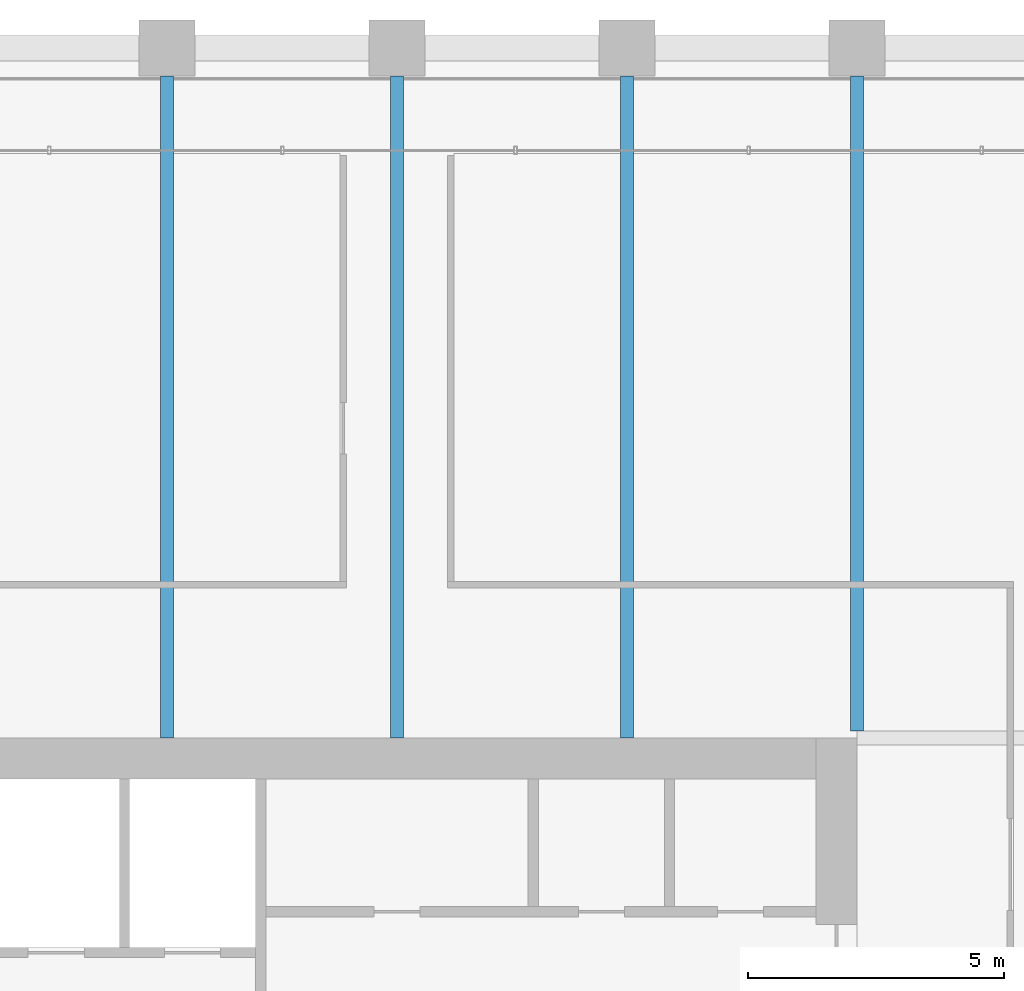
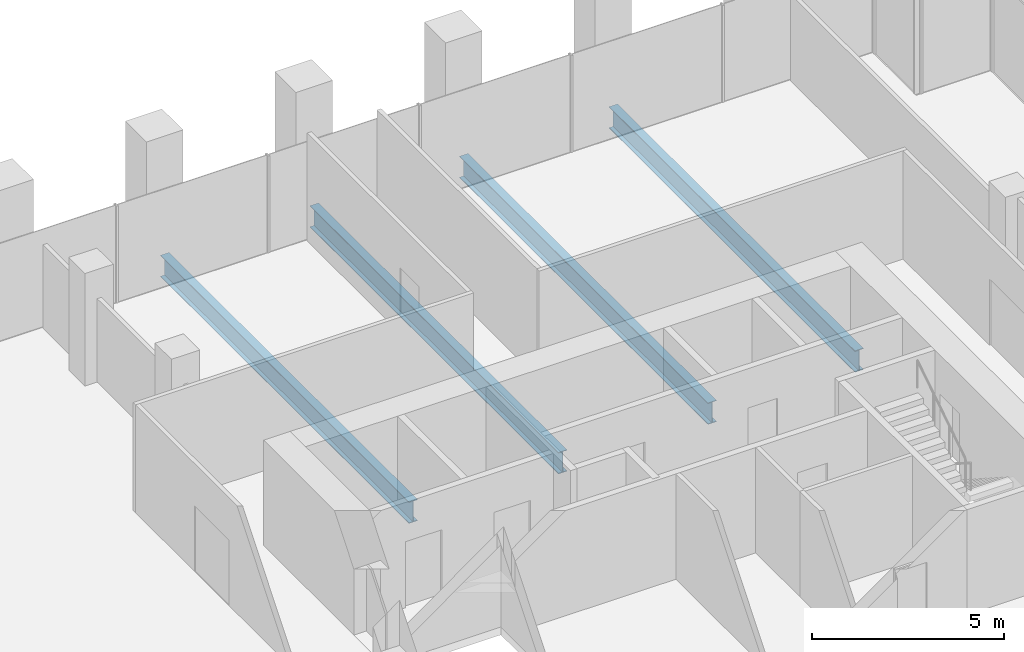
# One storey, part 28 of 54: 4 beams.
"""IFC4 building model written with IfcOpenShell, lengths in metres."""

from ifc_helpers import new_model, si_unit, direction, frame, origin, origin_2d, place, context, subcontext, project, spatial, i_section, extrude, material, material_profile, profile_set, type_object, element, save


model = new_model("IFC4")

# Units and contexts
model_context = context("Model", 3, precision=1e-05, world=origin(), true_north=direction((0.0, 1.0)))
body_context = subcontext(model_context, "Body", "Model", "MODEL_VIEW")
ifc_project = project(units=[si_unit("LENGTHUNIT", "METRE"), si_unit("AREAUNIT", "SQUARE_METRE"), si_unit("VOLUMEUNIT", "CUBIC_METRE"), si_unit("PLANEANGLEUNIT", "RADIAN"), si_unit("MASSUNIT", "GRAM", prefix="KILO")], contexts=[model_context])

# Site, building, storey
site_placement = place(None, origin())
site = spatial("IfcSite", under=ifc_project, at=site_placement, CompositionType="ELEMENT")
building_placement = place(site_placement, origin())
building = spatial("IfcBuilding", under=site, at=building_placement, Name="Altepetl Exchange Towers", CompositionType="ELEMENT")
storey_placement = place(building_placement, frame((0.0, 0.0, 61.800048828125)))
storey = spatial("IfcBuildingStorey", under=building, at=storey_placement, Name="L14", CompositionType="ELEMENT", Elevation=61.800048828125)

# Beams
ifc_material = material(Name="Steel S355", Category="steel")
ifc_material_profile = material_profile(ifc_material, i_section(OverallWidth=0.25390625, OverallDepth=0.68408203125, WebThickness=0.012451171875, FlangeThickness=0.018798828125, at=origin_2d()), Name="W27X94")
ifc_profile_set = profile_set([ifc_material_profile], Name="Steel S355")
beam_type = type_object("IfcBeamType", Name="Floor beam W27X94", PredefinedType="BEAM", material=ifc_profile_set)
for number, where, z_axis, x_axis, name in (
    (1, (45.0, 58.5, -0.491943359375), (0.0, 1.0, 0.0), (-1.0, 0.0, 0.0), "bm:A:L14:000"),
    (2, (49.5, 58.5, -0.491943359375), (0.0, 1.0, 0.0), (-1.0, 0.0, 0.0), "bm:A:L14:001"),
    (3, (54.0, 58.5, -0.491943359375), (0.0, 1.0, 0.0), (-1.0, 0.0, 0.0), "bm:A:L14:002"),
):
    element("IfcBeam", number, at=place(storey_placement, frame(where, z_axis=z_axis, x_axis=x_axis)), inside=storey, type_object=beam_type, Name=name, PredefinedType="BEAM", context=body_context, shape_type="SweptSolid", body=[
        extrude(i_section(OverallWidth=0.25390625, OverallDepth=0.68408203125, WebThickness=0.012451171875, FlangeThickness=0.018798828125, at=origin_2d()), origin(), (0.0, 0.0, 1.0), 12.949951171875),
    ])
beam_placement = place(storey_placement, frame((58.5, 58.634033203125, -0.491943359375), z_axis=(0.0, 1.0, 0.0), x_axis=(-1.0, 0.0, 0.0)))
element("IfcBeam", 4, at=beam_placement, inside=storey, type_object=beam_type, Name="bm:A:L14:003", PredefinedType="BEAM", context=body_context, shape_type="SweptSolid", body=[
    extrude(i_section(OverallWidth=0.25390625, OverallDepth=0.68408203125, WebThickness=0.012451171875, FlangeThickness=0.018798828125, at=origin_2d()), origin(), (0.0, 0.0, 1.0), 12.81591796875),
])

save(model, "model.ifc")
